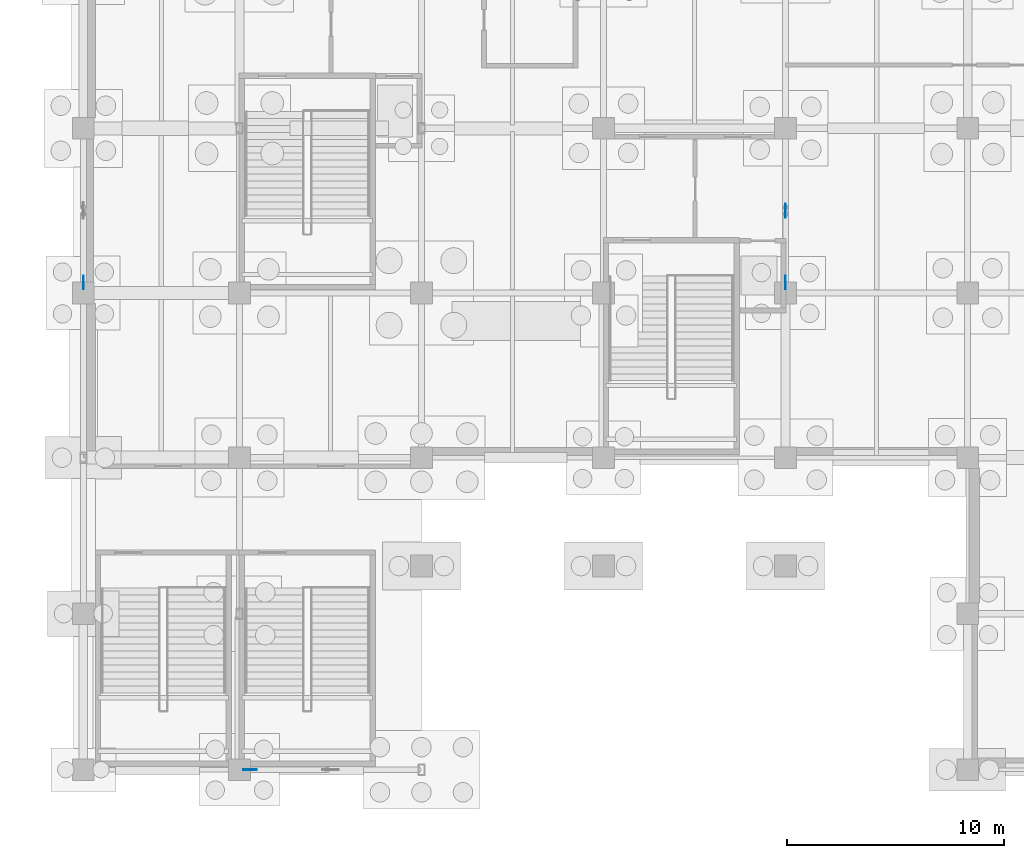
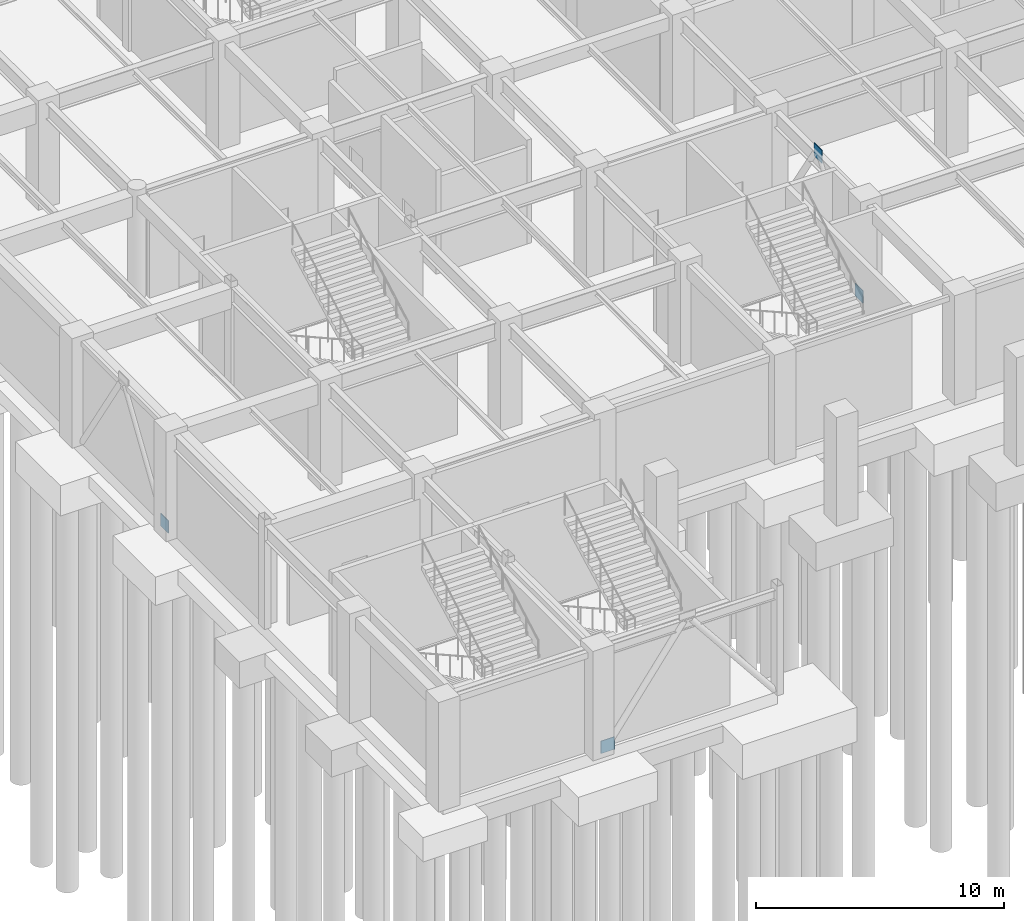
# One storey, part 35 of 52: 4 plates.
"""IFC4 building model written with IfcOpenShell, lengths in metres."""

import ifcopenshell
import ifcopenshell.guid

model = None  # the IFC model being written
_history = None  # IfcOwnerHistory: only IFC2X3 demands one
_inside = {}  # id of a spatial element -> (the spatial element, [elements in it])
_under = {}  # id of a project, library or spatial element -> (it, [spatial elements below it])
_declared = {}  # id of a project -> (the project, [libraries it declares])
_typed = {}  # id of a type object -> (the type object, [elements of that type])
_made_of = {}  # id of a material, layer set ... -> (it, [elements and type objects made of it])


def new_model(schema):
    """Start an empty IFC model of exactly this schema.

    Asked for "IFC4X3", IfcOpenShell would pick the latest addendum, in which some entities
    have other attributes; the version numbers below select the first issue.
    IFC2X3 requires an IfcOwnerHistory on every rooted entity: one is made here for all.
    """
    global model, _history
    if schema == "IFC4X3":
        model = ifcopenshell.file(schema_version=(4, 3, 0, 0))
    else:
        model = ifcopenshell.file(schema=schema)
    _inside.clear()
    _under.clear()
    _declared.clear()
    _typed.clear()
    _made_of.clear()
    _history = None
    if model.schema == "IFC2X3":
        org = make("IfcOrganization", Name="unknown")
        user = make(
            "IfcPersonAndOrganization",
            ThePerson=make("IfcPerson", FamilyName="unknown"),
            TheOrganization=org,
        )
        app = make(
            "IfcApplication",
            ApplicationDeveloper=org,
            Version="unknown",
            ApplicationFullName="unknown",
            ApplicationIdentifier="unknown",
        )
        _history = make(
            "IfcOwnerHistory",
            OwningUser=user,
            OwningApplication=app,
            ChangeAction="ADDED",
            CreationDate=0,
        )
    return model


def make(cls, **values):
    """One entity of the class cls with the attributes given. An attribute that is None is left unset."""
    return model.create_entity(
        cls, **{name: value for name, value in values.items() if value is not None}
    )


def rooted(cls, **values):
    """An entity with a GlobalId (a new one), such as an element, a storey or a relation."""
    return make(cls, GlobalId=ifcopenshell.guid.new(), OwnerHistory=_history, **values)


def si_unit(unit_type, name, prefix=None):
    """IfcSIUnit, for example si_unit("LENGTHUNIT", "METRE", prefix="MILLI")."""
    return make("IfcSIUnit", UnitType=unit_type, Prefix=prefix, Name=name)


def assignment(units):
    """IfcUnitAssignment: the units of a project."""
    return None if units is None else make("IfcUnitAssignment", Units=units)


def point(xyz):
    """IfcCartesianPoint."""
    return None if xyz is None else make("IfcCartesianPoint", Coordinates=xyz)


def direction(xyz):
    """IfcDirection."""
    return None if xyz is None else make("IfcDirection", DirectionRatios=xyz)


def frame(location, z_axis=None, x_axis=None):
    """IfcAxis2Placement3D, a coordinate frame: its origin and axes. An axis left out is left unset."""
    return make(
        "IfcAxis2Placement3D",
        Location=point(location),
        Axis=direction(z_axis),
        RefDirection=direction(x_axis),
    )


def frame_2d(location, x_axis=None):
    """IfcAxis2Placement2D, a coordinate frame in the plane: its origin and x axis."""
    return make(
        "IfcAxis2Placement2D", Location=point(location), RefDirection=direction(x_axis)
    )


def origin():
    """The frame at (0, 0, 0) with its axes left unset."""
    return frame((0.0, 0.0, 0.0))


def origin_2d():
    """The frame at (0, 0) in the plane with its x axis left unset."""
    return frame_2d((0.0, 0.0))


def place(relative_to, where):
    """IfcLocalPlacement: puts the frame where relative to a parent placement (None: the world)."""
    return make(
        "IfcLocalPlacement", PlacementRelTo=relative_to, RelativePlacement=where
    )


def context(
    kind, dimensions, precision=None, world=None, true_north=None, identifier=None
):
    """IfcGeometricRepresentationContext, for example the 3D "Model" context."""
    return make(
        "IfcGeometricRepresentationContext",
        ContextIdentifier=identifier,
        ContextType=kind,
        CoordinateSpaceDimension=dimensions,
        Precision=precision,
        WorldCoordinateSystem=world,
        TrueNorth=true_north,
    )


def subcontext(parent, identifier, kind, view, scale=None):
    """IfcGeometricRepresentationSubContext, for example "Body" below "Model"."""
    return make(
        "IfcGeometricRepresentationSubContext",
        ContextIdentifier=identifier,
        ContextType=kind,
        ParentContext=parent,
        TargetScale=scale,
        TargetView=view,
    )


def project(units=None, contexts=None):
    """IfcProject with its units and contexts."""
    return rooted(
        "IfcProject",
        Name="project",
        RepresentationContexts=contexts,
        UnitsInContext=assignment(units),
    )


def spatial(cls, under=None, at=None, **own):
    """A site, building, storey or space (cls), placed at a placement, below another one or the project."""
    s = rooted(cls, ObjectPlacement=at, **own)
    if under is not None:
        _under.setdefault(under.id(), (under, []))[1].append(s)
    return s


def profile(cls, at=None, kind="AREA", **sizes):
    """A parametric profile (cls). Its sizes go by their IFC names, for example OverallWidth=200.0."""
    return make(cls, ProfileType=kind, Position=at, **sizes)


def rectangle(**sizes):
    """IfcRectangleProfileDef."""
    return profile("IfcRectangleProfileDef", **sizes)


def extrude(swept, where, along, depth):
    """IfcExtrudedAreaSolid: the profile swept, set in the frame where, extruded along a direction by depth."""
    return make(
        "IfcExtrudedAreaSolid",
        SweptArea=swept,
        Position=where,
        ExtrudedDirection=direction(along),
        Depth=depth,
    )


def shape(context_of_items, identifier, shape_type, items):
    """IfcShapeRepresentation: the items that make up one representation, for example the "Body"."""
    return make(
        "IfcShapeRepresentation",
        ContextOfItems=context_of_items,
        RepresentationIdentifier=identifier,
        RepresentationType=shape_type,
        Items=items,
    )


def material(Name=None, Category=None):
    """IfcMaterial."""
    return make("IfcMaterial", Name=Name, Category=Category)


def layer(
    of_material, thickness, ventilated=None, Name=None, Category=None, Priority=None
):
    """IfcMaterialLayer: one layer of a wall or slab, of a material (None: an air gap)."""
    return make(
        "IfcMaterialLayer",
        Material=of_material,
        LayerThickness=thickness,
        IsVentilated=ventilated,
        Name=Name,
        Category=Category,
        Priority=Priority,
    )


def layer_set(layers, Name=None):
    """IfcMaterialLayerSet."""
    return make("IfcMaterialLayerSet", MaterialLayers=layers, LayerSetName=Name)


def made_of(thing, what):
    """Note that an element or type object is made of a material, layer set ...; save() writes the relation."""
    if what is not None:
        _made_of.setdefault(what.id(), (what, []))[1].append(thing)
    return thing


def type_object(cls, material=None, **own):
    """A type object (cls), such as IfcWallType, which elements share."""
    return made_of(rooted(cls, **own), material)


def element(
    cls,
    number,
    at=None,
    inside=None,
    cuts=None,
    type_object=None,
    material=None,
    context=None,
    identifier="Body",
    shape_type=None,
    held_by="IfcProductDefinitionShape",
    body=None,
    shapes=None,
    **own,
):
    """One element of the class cls, such as IfcWall. Its Tag is "e" and its number.

    at: its placement. inside: the storey or other place that contains it. cuts: it is an
    opening in that element (IfcRelVoidsElement). A single representation is given by context,
    identifier, shape_type and body (its items); several are given by shapes. held_by: the class
    of the entity that holds the representations. save() writes the other relations.
    """
    e = rooted(cls, Tag="e%d" % number, ObjectPlacement=at, **own)
    if body is not None:
        shapes = [shape(context, identifier, shape_type, body)]
    if shapes is not None:
        e.Representation = make(held_by, Representations=shapes)
    if inside is not None:
        _inside.setdefault(inside.id(), (inside, []))[1].append(e)
    if cuts is not None:
        rooted(
            "IfcRelVoidsElement", RelatingBuildingElement=cuts, RelatedOpeningElement=e
        )
    if type_object is not None:
        _typed.setdefault(type_object.id(), (type_object, []))[1].append(e)
    return made_of(e, material)


def aggregate(whole, parts):
    """IfcRelAggregates: a whole, such as a stair, and the parts it consists of."""
    return rooted("IfcRelAggregates", RelatingObject=whole, RelatedObjects=parts)


def save(model, path):
    """Write the relations noted so far, then the file.

    IfcRelAggregates (storeys below a building ...), IfcRelContainedInSpatialStructure (elements
    in a storey), IfcRelDefinesByType, IfcRelAssociatesMaterial and IfcRelDeclares: one each for
    every whole, place, type object, material and project.
    """
    for whole, parts in _under.values():
        aggregate(whole, parts)
    for where, things in _inside.values():
        rooted(
            "IfcRelContainedInSpatialStructure",
            RelatedElements=things,
            RelatingStructure=where,
        )
    for kind, things in _typed.values():
        rooted("IfcRelDefinesByType", RelatedObjects=things, RelatingType=kind)
    for what, things in _made_of.values():
        rooted("IfcRelAssociatesMaterial", RelatedObjects=things, RelatingMaterial=what)
    for by, libraries in _declared.values():
        rooted("IfcRelDeclares", RelatingContext=by, RelatedDefinitions=libraries)
    model.write(path)


model = new_model("IFC4")

# Units and contexts
model_context = context("Model", 3, precision=1e-05, world=origin(), true_north=direction((0.0, 1.0)))
body_context = subcontext(model_context, "Body", "Model", "MODEL_VIEW")
ifc_project = project(units=[si_unit("LENGTHUNIT", "METRE"), si_unit("AREAUNIT", "SQUARE_METRE"), si_unit("VOLUMEUNIT", "CUBIC_METRE"), si_unit("PLANEANGLEUNIT", "RADIAN"), si_unit("MASSUNIT", "GRAM", prefix="KILO")], contexts=[model_context])

# Site, building, storey
site_placement = place(None, origin())
site = spatial("IfcSite", under=ifc_project, at=site_placement, CompositionType="ELEMENT")
building_placement = place(site_placement, origin())
building = spatial("IfcBuilding", under=site, at=building_placement, Name="Xicomal Pleat Aquarium", CompositionType="ELEMENT")
storey_placement = place(building_placement, frame((0.0, 0.0, -5.39990234375)))
storey = spatial("IfcBuildingStorey", under=building, at=storey_placement, Name="B1", CompositionType="ELEMENT", Elevation=-5.39990234375)

# Plates
ifc_material_1 = material(Name="Structural steel A992 Gr 50", Category="steel")
ifc_layer_1 = layer(ifc_material_1, 0.030029296875)
ifc_layer_set_1 = layer_set([ifc_layer_1], Name="Structural steel A992 Gr 50")
plate_type_1 = type_object("IfcPlateType", Name="PLT-CAP-30", PredefinedType="SHEET", material=ifc_layer_set_1)
for number, where, z_axis, x_axis, name in (
    (1, (3.0, 23.280029296875, -0.16015625), (0.0, 0.0, 1.0), (0.0, 1.0, 0.0), "B1 HSS end cap plate 1"),
    (2, (35.39990234375, 23.280029296875, -0.16015625), (0.0, 0.0, 1.0), (0.0, 1.0, 0.0), "B1 HSS end cap plate 11"),
    (3, (10.679931640625, 0.800048828125, -0.16015625), (0.0, 0.0, 1.0), (1.0, 0.0, 0.0), "B1 HSS end cap plate 31"),
):
    element("IfcPlate", number, at=place(storey_placement, frame(where, z_axis=z_axis, x_axis=x_axis)), inside=storey, type_object=plate_type_1, Name=name, PredefinedType="SHEET", context=body_context, shape_type="SweptSolid", body=[
        extrude(rectangle(XDim=0.6201171875, YDim=0.030029296875, at=origin_2d()), origin(), (0.0, 0.0, 1.0), 0.6201171875),
    ])
ifc_material_2 = material(Name="Structural steel A992 Gr 50", Category="steel")
ifc_layer_2 = layer(ifc_material_2, 0.034912109375)
ifc_layer_set_2 = layer_set([ifc_layer_2], Name="Structural steel A992 Gr 50")
plate_type_2 = type_object("IfcPlateType", Name="PLT-GUS-35", PredefinedType="USERDEFINED", material=ifc_layer_set_2)
plate_placement = place(storey_placement, frame((35.39990234375, 26.60009765625, 4.724853515625), z_axis=(0.0, 0.0, 1.0), x_axis=(0.0, 1.0, 0.0)))
element("IfcPlate", 4, at=plate_placement, inside=storey, type_object=plate_type_2, Name="B1 chevron gusset node plate 11", ObjectType="GUSSET PLATE", PredefinedType="USERDEFINED", context=body_context, shape_type="SweptSolid", body=[
    extrude(rectangle(XDim=0.64990234375, YDim=0.034912109375, at=origin_2d()), origin(), (0.0, 0.0, 1.0), 0.64990234375),
])

save(model, "model.ifc")
